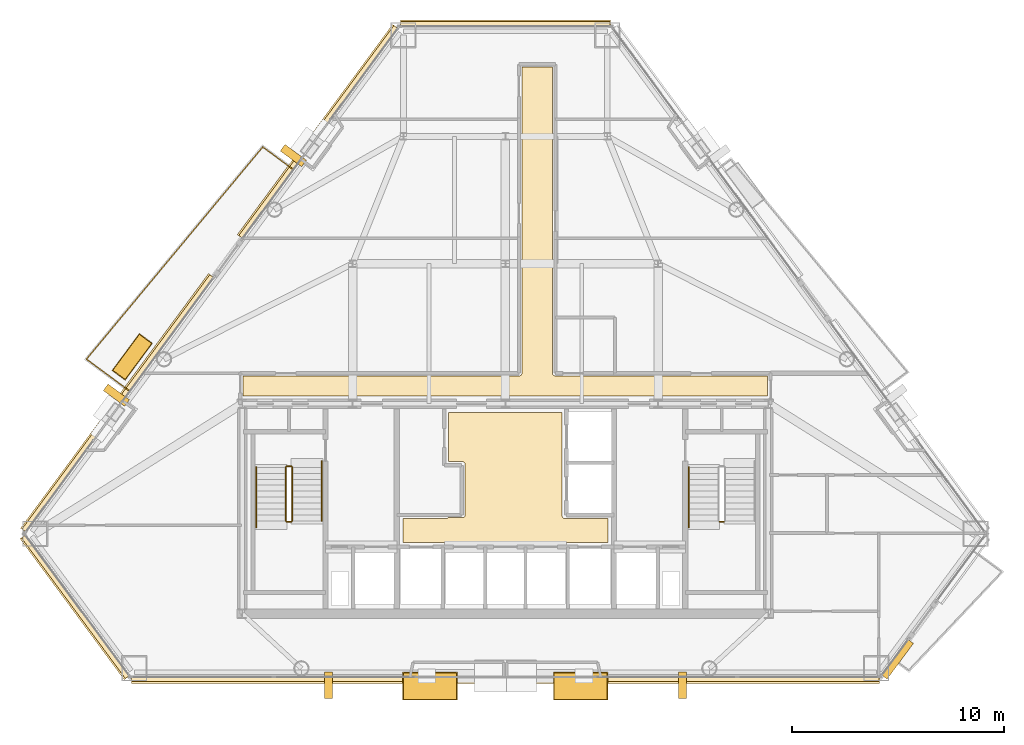
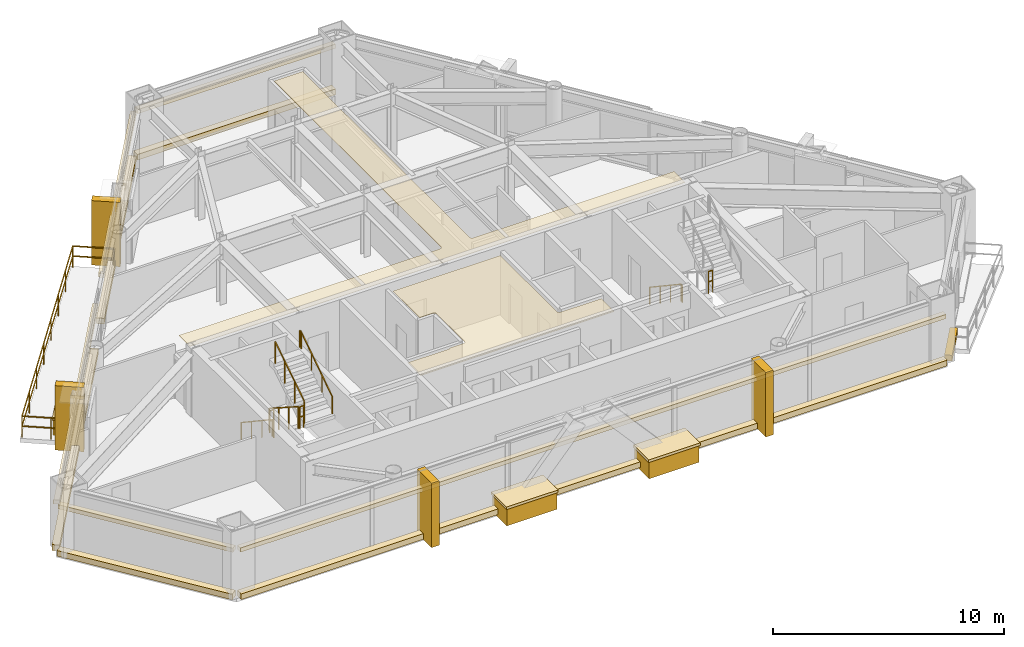
# One storey, part 10 of 11: 23 coverings, 9 railings.
"""IFC4 building model written with IfcOpenShell, lengths in metres."""

import ifcopenshell
import ifcopenshell.guid

model = None  # the IFC model being written
_history = None  # IfcOwnerHistory: only IFC2X3 demands one
_inside = {}  # id of a spatial element -> (the spatial element, [elements in it])
_under = {}  # id of a project, library or spatial element -> (it, [spatial elements below it])
_declared = {}  # id of a project -> (the project, [libraries it declares])
_typed = {}  # id of a type object -> (the type object, [elements of that type])
_made_of = {}  # id of a material, layer set ... -> (it, [elements and type objects made of it])


def new_model(schema):
    """Start an empty IFC model of exactly this schema.

    Asked for "IFC4X3", IfcOpenShell would pick the latest addendum, in which some entities
    have other attributes; the version numbers below select the first issue.
    IFC2X3 requires an IfcOwnerHistory on every rooted entity: one is made here for all.
    """
    global model, _history
    if schema == "IFC4X3":
        model = ifcopenshell.file(schema_version=(4, 3, 0, 0))
    else:
        model = ifcopenshell.file(schema=schema)
    _inside.clear()
    _under.clear()
    _declared.clear()
    _typed.clear()
    _made_of.clear()
    _history = None
    if model.schema == "IFC2X3":
        org = make("IfcOrganization", Name="unknown")
        user = make(
            "IfcPersonAndOrganization",
            ThePerson=make("IfcPerson", FamilyName="unknown"),
            TheOrganization=org,
        )
        app = make(
            "IfcApplication",
            ApplicationDeveloper=org,
            Version="unknown",
            ApplicationFullName="unknown",
            ApplicationIdentifier="unknown",
        )
        _history = make(
            "IfcOwnerHistory",
            OwningUser=user,
            OwningApplication=app,
            ChangeAction="ADDED",
            CreationDate=0,
        )
    return model


def make(cls, **values):
    """One entity of the class cls with the attributes given. An attribute that is None is left unset."""
    return model.create_entity(
        cls, **{name: value for name, value in values.items() if value is not None}
    )


def rooted(cls, **values):
    """An entity with a GlobalId (a new one), such as an element, a storey or a relation."""
    return make(cls, GlobalId=ifcopenshell.guid.new(), OwnerHistory=_history, **values)


def si_unit(unit_type, name, prefix=None):
    """IfcSIUnit, for example si_unit("LENGTHUNIT", "METRE", prefix="MILLI")."""
    return make("IfcSIUnit", UnitType=unit_type, Prefix=prefix, Name=name)


def assignment(units):
    """IfcUnitAssignment: the units of a project."""
    return None if units is None else make("IfcUnitAssignment", Units=units)


def point(xyz):
    """IfcCartesianPoint."""
    return None if xyz is None else make("IfcCartesianPoint", Coordinates=xyz)


def direction(xyz):
    """IfcDirection."""
    return None if xyz is None else make("IfcDirection", DirectionRatios=xyz)


def frame(location, z_axis=None, x_axis=None):
    """IfcAxis2Placement3D, a coordinate frame: its origin and axes. An axis left out is left unset."""
    return make(
        "IfcAxis2Placement3D",
        Location=point(location),
        Axis=direction(z_axis),
        RefDirection=direction(x_axis),
    )


def frame_2d(location, x_axis=None):
    """IfcAxis2Placement2D, a coordinate frame in the plane: its origin and x axis."""
    return make(
        "IfcAxis2Placement2D", Location=point(location), RefDirection=direction(x_axis)
    )


def origin():
    """The frame at (0, 0, 0) with its axes left unset."""
    return frame((0.0, 0.0, 0.0))


def origin_2d():
    """The frame at (0, 0) in the plane with its x axis left unset."""
    return frame_2d((0.0, 0.0))


def place(relative_to, where):
    """IfcLocalPlacement: puts the frame where relative to a parent placement (None: the world)."""
    return make(
        "IfcLocalPlacement", PlacementRelTo=relative_to, RelativePlacement=where
    )


def context(
    kind, dimensions, precision=None, world=None, true_north=None, identifier=None
):
    """IfcGeometricRepresentationContext, for example the 3D "Model" context."""
    return make(
        "IfcGeometricRepresentationContext",
        ContextIdentifier=identifier,
        ContextType=kind,
        CoordinateSpaceDimension=dimensions,
        Precision=precision,
        WorldCoordinateSystem=world,
        TrueNorth=true_north,
    )


def subcontext(parent, identifier, kind, view, scale=None):
    """IfcGeometricRepresentationSubContext, for example "Body" below "Model"."""
    return make(
        "IfcGeometricRepresentationSubContext",
        ContextIdentifier=identifier,
        ContextType=kind,
        ParentContext=parent,
        TargetScale=scale,
        TargetView=view,
    )


def project(units=None, contexts=None):
    """IfcProject with its units and contexts."""
    return rooted(
        "IfcProject",
        Name="project",
        RepresentationContexts=contexts,
        UnitsInContext=assignment(units),
    )


def spatial(cls, under=None, at=None, **own):
    """A site, building, storey or space (cls), placed at a placement, below another one or the project."""
    s = rooted(cls, ObjectPlacement=at, **own)
    if under is not None:
        _under.setdefault(under.id(), (under, []))[1].append(s)
    return s


def polyline(points):
    """IfcPolyline through the points."""
    return make("IfcPolyline", Points=[point(p) for p in points])


def profile(cls, at=None, kind="AREA", **sizes):
    """A parametric profile (cls). Its sizes go by their IFC names, for example OverallWidth=200.0."""
    return make(cls, ProfileType=kind, Position=at, **sizes)


def rectangle(**sizes):
    """IfcRectangleProfileDef."""
    return profile("IfcRectangleProfileDef", **sizes)


def outline(outer, holes=None, kind="AREA"):
    """IfcArbitraryClosedProfileDef: a profile drawn as a closed curve; with holes, ...WithVoids."""
    if holes is None:
        return make("IfcArbitraryClosedProfileDef", ProfileType=kind, OuterCurve=outer)
    return make(
        "IfcArbitraryProfileDefWithVoids",
        ProfileType=kind,
        OuterCurve=outer,
        InnerCurves=holes,
    )


def extrude(swept, where, along, depth):
    """IfcExtrudedAreaSolid: the profile swept, set in the frame where, extruded along a direction by depth."""
    return make(
        "IfcExtrudedAreaSolid",
        SweptArea=swept,
        Position=where,
        ExtrudedDirection=direction(along),
        Depth=depth,
    )


def shape(context_of_items, identifier, shape_type, items):
    """IfcShapeRepresentation: the items that make up one representation, for example the "Body"."""
    return make(
        "IfcShapeRepresentation",
        ContextOfItems=context_of_items,
        RepresentationIdentifier=identifier,
        RepresentationType=shape_type,
        Items=items,
    )


def material(Name=None, Category=None):
    """IfcMaterial."""
    return make("IfcMaterial", Name=Name, Category=Category)


def layer(
    of_material, thickness, ventilated=None, Name=None, Category=None, Priority=None
):
    """IfcMaterialLayer: one layer of a wall or slab, of a material (None: an air gap)."""
    return make(
        "IfcMaterialLayer",
        Material=of_material,
        LayerThickness=thickness,
        IsVentilated=ventilated,
        Name=Name,
        Category=Category,
        Priority=Priority,
    )


def layer_set(layers, Name=None):
    """IfcMaterialLayerSet."""
    return make("IfcMaterialLayerSet", MaterialLayers=layers, LayerSetName=Name)


def made_of(thing, what):
    """Note that an element or type object is made of a material, layer set ...; save() writes the relation."""
    if what is not None:
        _made_of.setdefault(what.id(), (what, []))[1].append(thing)
    return thing


def type_object(cls, material=None, **own):
    """A type object (cls), such as IfcWallType, which elements share."""
    return made_of(rooted(cls, **own), material)


def element(
    cls,
    number,
    at=None,
    inside=None,
    cuts=None,
    type_object=None,
    material=None,
    context=None,
    identifier="Body",
    shape_type=None,
    held_by="IfcProductDefinitionShape",
    body=None,
    shapes=None,
    **own,
):
    """One element of the class cls, such as IfcWall. Its Tag is "e" and its number.

    at: its placement. inside: the storey or other place that contains it. cuts: it is an
    opening in that element (IfcRelVoidsElement). A single representation is given by context,
    identifier, shape_type and body (its items); several are given by shapes. held_by: the class
    of the entity that holds the representations. save() writes the other relations.
    """
    e = rooted(cls, Tag="e%d" % number, ObjectPlacement=at, **own)
    if body is not None:
        shapes = [shape(context, identifier, shape_type, body)]
    if shapes is not None:
        e.Representation = make(held_by, Representations=shapes)
    if inside is not None:
        _inside.setdefault(inside.id(), (inside, []))[1].append(e)
    if cuts is not None:
        rooted(
            "IfcRelVoidsElement", RelatingBuildingElement=cuts, RelatedOpeningElement=e
        )
    if type_object is not None:
        _typed.setdefault(type_object.id(), (type_object, []))[1].append(e)
    return made_of(e, material)


def aggregate(whole, parts):
    """IfcRelAggregates: a whole, such as a stair, and the parts it consists of."""
    return rooted("IfcRelAggregates", RelatingObject=whole, RelatedObjects=parts)


def save(model, path):
    """Write the relations noted so far, then the file.

    IfcRelAggregates (storeys below a building ...), IfcRelContainedInSpatialStructure (elements
    in a storey), IfcRelDefinesByType, IfcRelAssociatesMaterial and IfcRelDeclares: one each for
    every whole, place, type object, material and project.
    """
    for whole, parts in _under.values():
        aggregate(whole, parts)
    for where, things in _inside.values():
        rooted(
            "IfcRelContainedInSpatialStructure",
            RelatedElements=things,
            RelatingStructure=where,
        )
    for kind, things in _typed.values():
        rooted("IfcRelDefinesByType", RelatedObjects=things, RelatingType=kind)
    for what, things in _made_of.values():
        rooted("IfcRelAssociatesMaterial", RelatedObjects=things, RelatingMaterial=what)
    for by, libraries in _declared.values():
        rooted("IfcRelDeclares", RelatingContext=by, RelatedDefinitions=libraries)
    model.write(path)


model = new_model("IFC4")

# Units and contexts
model_context = context("Model", 3, precision=1e-05, world=origin(), true_north=direction((0.0, 1.0)))
body_context = subcontext(model_context, "Body", "Model", "MODEL_VIEW")
ifc_project = project(units=[si_unit("LENGTHUNIT", "METRE"), si_unit("AREAUNIT", "SQUARE_METRE"), si_unit("VOLUMEUNIT", "CUBIC_METRE"), si_unit("PLANEANGLEUNIT", "RADIAN"), si_unit("MASSUNIT", "GRAM", prefix="KILO")], contexts=[model_context])

# Site, building, storey
site_placement = place(None, origin())
site = spatial("IfcSite", under=ifc_project, at=site_placement, CompositionType="ELEMENT")
building_placement = place(site_placement, origin())
building = spatial("IfcBuilding", under=site, at=building_placement, Name="Talgorran Terracotta Tower", CompositionType="ELEMENT")
storey_placement = place(building_placement, frame((0.0, 0.0, 147.300048828125)))
storey = spatial("IfcBuildingStorey", under=building, at=storey_placement, Name="L38", CompositionType="ELEMENT", Elevation=147.300048828125)

# Coverings
ifc_material_1 = material(Name="Kiln-Fired Terracotta Ochre Ceramic", Category="masonry")
ifc_layer_1 = layer(ifc_material_1, 0.179931640625, Name="COV_BAGUETTE_TERRACOTTA_SCREEN")
ifc_layer_set_1 = layer_set([ifc_layer_1], Name="Kiln-Fired Terracotta Ochre Ceramic")
covering_type_1 = type_object("IfcCoveringType", Name="COV_BAGUETTE_TERRACOTTA_SCREEN", PredefinedType="CLADDING", material=ifc_layer_set_1)
covering_1_placement = place(storey_placement, frame((-20.255859375, -13.76220703125, 2.41015625), z_axis=(0.0, 0.0, 1.0), x_axis=(0.594078945078, -0.804406742274, 0.0)))
element("IfcCovering", 1, at=covering_1_placement, inside=storey, type_object=covering_type_1, Name="L38 Terracotta Baguette Solar Screen Assembly F0", PredefinedType="CLADDING", context=body_context, shape_type="SweptSolid", body=[
    extrude(rectangle(XDim=8.242919921875, YDim=0.260009765625, at=origin_2d()), origin(), (0.0, 0.0, 1.0), 0.219970703125),
])
covering_2_placement = place(storey_placement, frame((0.0, -17.17431640625, 2.41015625), z_axis=(0.0, 0.0, 1.0), x_axis=(1.0, 0.0, 0.0)))
element("IfcCovering", 2, at=covering_2_placement, inside=storey, type_object=covering_type_1, Name="L38 Terracotta Baguette Solar Screen Assembly F1", PredefinedType="CLADDING", context=body_context, shape_type="SweptSolid", body=[
    extrude(rectangle(XDim=35.230712890625, YDim=0.260009765625, at=origin_2d()), origin(), (0.0, 0.0, 1.0), 0.219970703125),
])
covering_3_placement = place(storey_placement, frame((0.0, 13.677978515625, 2.41015625), z_axis=(0.0, 0.0, 1.0), x_axis=(-1.0, 0.0, 0.0)))
element("IfcCovering", 3, at=covering_3_placement, inside=storey, type_object=covering_type_1, Name="L38 Terracotta Baguette Solar Screen Assembly F4", PredefinedType="CLADDING", context=body_context, shape_type="SweptSolid", body=[
    extrude(rectangle(XDim=9.8759765625, YDim=0.260009765625, at=origin_2d()), origin(), (0.0, 0.0, 1.0), 0.219970703125),
])
covering_4_placement = place(storey_placement, frame((-8.80810546875, 8.600830078125, 2.41015625), z_axis=(0.0, 0.0, 1.0), x_axis=(-0.594078945078, -0.804406742274, 0.0)))
element("IfcCovering", 4, at=covering_4_placement, inside=storey, type_object=covering_type_1, Name="L38 Terracotta Baguette Solar Screen Assembly F60", PredefinedType="CLADDING", context=body_context, shape_type="SweptSolid", body=[
    extrude(rectangle(XDim=12.30224609375, YDim=0.260009765625, at=origin_2d()), origin(), (0.0, 0.0, 1.0), 0.219970703125),
])
covering_5_placement = place(storey_placement, frame((-18.254638671875, -4.190185546875, 2.41015625), z_axis=(0.0, 0.0, 1.0), x_axis=(-0.594078945078, -0.804406742274, 0.0)))
element("IfcCovering", 5, at=covering_5_placement, inside=storey, type_object=covering_type_1, Name="L38 Terracotta Baguette Solar Screen Assembly F61", PredefinedType="CLADDING", context=body_context, shape_type="SweptSolid", body=[
    extrude(rectangle(XDim=14.900146484375, YDim=0.260009765625, at=origin_2d()), origin(), (0.0, 0.0, 1.0), 0.219970703125),
])
ifc_material_2 = material(Name="Mineral Fibre Acoustic Tile")
ifc_layer_2 = layer(ifc_material_2, 0.02490234375, Name="COV_CEIL_ACOUSTIC")
ifc_layer_set_2 = layer_set([ifc_layer_2], Name="Mineral Fibre Acoustic Tile")
covering_type_2 = type_object("IfcCoveringType", Name="COV_CEIL_ACOUSTIC", PredefinedType="CEILING", material=ifc_layer_set_2)
covering_6_placement = place(storey_placement, frame((0.0, 0.0, 3.260009765625)))
element("IfcCovering", 6, at=covering_6_placement, inside=storey, type_object=covering_type_2, Name="CEIL-L38-2", PredefinedType="CEILING", context=body_context, shape_type="SweptSolid", body=[
    extrude(outline(polyline([(-12.364990234375, -2.885009765625), (0.64990234375, -2.885009765625), (0.66162109375, -2.884521484375), (0.67333984375, -2.8828125), (0.6845703125, -2.8798828125), (0.69287109375, -2.87744140625), (0.7041015625, -2.87353515625), (0.714599609375, -2.868408203125), (0.724853515625, -2.8623046875), (0.734375, -2.85546875), (0.742919921875, -2.847412109375), (0.7509765625, -2.8388671875), (0.756591796875, -2.83203125), (0.763671875, -2.822509765625), (0.769775390625, -2.8125), (0.774658203125, -2.8017578125), (0.77880859375, -2.79052734375), (0.781494140625, -2.779296875), (0.783203125, -2.767578125), (0.783935546875, -2.755615234375), (0.784912109375, 11.6650390625), (2.215087890625, 11.6650390625), (2.215087890625, -2.75), (2.215576171875, -2.76171875), (2.21728515625, -2.773193359375), (2.22021484375, -2.78466796875), (2.22265625, -2.79296875), (2.2265625, -2.803955078125), (2.231689453125, -2.814697265625), (2.237548828125, -2.82470703125), (2.24462890625, -2.834228515625), (2.25244140625, -2.843017578125), (2.26123046875, -2.850830078125), (2.26806640625, -2.8564453125), (2.277587890625, -2.863525390625), (2.28759765625, -2.86962890625), (2.29833984375, -2.874755859375), (2.309326171875, -2.878662109375), (2.32080078125, -2.881591796875), (2.33251953125, -2.88330078125), (2.34423828125, -2.8837890625), (12.364990234375, -2.885009765625), (12.364990234375, -3.830078125), (12.169921875, -3.830078125), (12.158203125, -3.83056640625), (12.146484375, -3.832275390625), (12.13525390625, -3.835205078125), (12.1240234375, -3.839111328125), (12.11328125, -3.84423828125), (12.112060546875, -3.844970703125), (7.432861328125, -3.844970703125), (6.968017578125, -3.843017578125), (6.967529296875, -3.843017578125), (0.232666015625, -3.844970703125), (-0.23193359375, -3.843017578125), (-0.232421875, -3.843017578125), (-6.96728515625, -3.844970703125), (-7.431884765625, -3.843017578125), (-7.4326171875, -3.843017578125), (-12.112060546875, -3.844970703125), (-12.11328125, -3.84423828125), (-12.1240234375, -3.839111328125), (-12.13525390625, -3.835205078125), (-12.146484375, -3.832275390625), (-12.158203125, -3.83056640625), (-12.169921875, -3.830078125), (-12.364990234375, -3.830078125), (-12.364990234375, -2.885009765625)])), origin(), (0.0, 0.0, 1.0), 0.02001953125),
])
ifc_material_3 = material(Name="Flush Moisture-Resistant Plaster")
ifc_layer_3 = layer(ifc_material_3, 0.01806640625, Name="COV_CEIL_PLASTER")
ifc_layer_set_3 = layer_set([ifc_layer_3], Name="Flush Moisture-Resistant Plaster")
covering_type_3 = type_object("IfcCoveringType", Name="COV_CEIL_PLASTER", PredefinedType="CEILING", material=ifc_layer_set_3)
covering_7_placement = place(storey_placement, frame((0.0, 0.0, 3.260009765625)))
element("IfcCovering", 7, at=covering_7_placement, inside=storey, type_object=covering_type_3, Name="CEIL-L38-1", PredefinedType="CEILING", context=body_context, shape_type="SweptSolid", body=[
    extrude(outline(polyline([(-2.70263671875, -9.570068359375), (-2.02001953125, -9.570068359375), (-2.00830078125, -9.5693359375), (-1.99658203125, -9.567626953125), (-1.985107421875, -9.564697265625), (-1.97412109375, -9.560791015625), (-1.96337890625, -9.555908203125), (-1.953369140625, -9.5498046875), (-1.94384765625, -9.542724609375), (-1.93505859375, -9.534912109375), (-1.92724609375, -9.526123046875), (-1.920166015625, -9.5166015625), (-1.914306640625, -9.506591796875), (-1.9091796875, -9.495849609375), (-1.9052734375, -9.48486328125), (-1.90234375, -9.473388671875), (-1.900634765625, -9.4619140625), (-1.89990234375, -9.449951171875), (-1.89990234375, -7.050048828125), (-1.900634765625, -7.0380859375), (-1.90234375, -7.026611328125), (-1.9052734375, -7.01513671875), (-1.9091796875, -7.004150390625), (-1.914306640625, -6.993408203125), (-1.920166015625, -6.9833984375), (-1.92724609375, -6.973876953125), (-1.93505859375, -6.965087890625), (-1.94384765625, -6.957275390625), (-1.953369140625, -6.9501953125), (-1.96337890625, -6.944091796875), (-1.97412109375, -6.939208984375), (-1.985107421875, -6.935302734375), (-1.99658203125, -6.932373046875), (-2.00830078125, -6.9306640625), (-2.02001953125, -6.929931640625), (-2.679931640625, -6.929931640625), (-2.679931640625, -4.6201171875), (2.679931640625, -4.6201171875), (2.679931640625, -9.5), (2.6806640625, -9.51171875), (2.682373046875, -9.5234375), (2.685302734375, -9.534912109375), (2.689208984375, -9.5458984375), (2.694091796875, -9.556640625), (2.7001953125, -9.566650390625), (2.707275390625, -9.576171875), (2.715087890625, -9.5849609375), (2.723876953125, -9.5927734375), (2.7333984375, -9.599853515625), (2.743408203125, -9.605712890625), (2.754150390625, -9.61083984375), (2.76513671875, -9.61474609375), (2.776611328125, -9.61767578125), (2.7880859375, -9.619384765625), (2.800048828125, -9.6201171875), (4.830078125, -9.6201171875), (4.830078125, -10.72998046875), (-4.830078125, -10.72998046875), (-4.830078125, -9.6201171875), (-2.800048828125, -9.6201171875), (-2.7880859375, -9.619384765625), (-2.776611328125, -9.61767578125), (-2.76513671875, -9.61474609375), (-2.754150390625, -9.61083984375), (-2.743408203125, -9.605712890625), (-2.7333984375, -9.599853515625), (-2.723876953125, -9.5927734375), (-2.715087890625, -9.5849609375), (-2.707275390625, -9.576171875), (-2.70263671875, -9.570068359375)])), origin(), (0.0, 0.0, 1.0), 0.02001953125),
])
ifc_material_4 = material(Name="Honed Limestone and Terracotta Planter", Category="masonry")
ifc_layer_4 = layer(ifc_material_4, 0.1201171875, Name="COV_PLANTER_BOX")
ifc_layer_set_4 = layer_set([ifc_layer_4], Name="Honed Limestone and Terracotta Planter")
covering_type_4 = type_object("IfcCoveringType", Name="COV_PLANTER_BOX", PredefinedType="CLADDING", material=ifc_layer_set_4)
for number, where, z_axis, x_axis, name in (
    (8, (-3.54931640625, -17.514404296875, -0.179931640625), (0.0, 0.0, 1.0), (1.0, 0.0, 0.0), "L38 Staggered South Facade Planter Box 1"),
    (9, (3.54931640625, -17.514404296875, -0.179931640625), (0.0, 0.0, 1.0), (1.0, 0.0, 0.0), "L38 Staggered South Facade Planter Box 2"),
):
    element("IfcCovering", number, at=place(storey_placement, frame(where, z_axis=z_axis, x_axis=x_axis)), inside=storey, type_object=covering_type_4, Name=name, PredefinedType="CLADDING", context=body_context, shape_type="SweptSolid", body=[
        extrude(rectangle(XDim=2.5, YDim=1.25, at=origin_2d()), origin(), (0.0, 0.0, 1.0), 0.919921875),
    ])
covering_8_placement = place(storey_placement, frame((-17.587646484375, -1.9912109375, -0.02001953125), z_axis=(0.0, 0.0, 1.0), x_axis=(-0.594078945078, -0.804406742274, 0.0)))
element("IfcCovering", 10, at=covering_8_placement, inside=storey, type_object=covering_type_4, Name="L38 Staggered Balcony Planter Box BAL-NW", PredefinedType="CLADDING", context=body_context, shape_type="SweptSolid", body=[
    extrude(rectangle(XDim=2.10009765625, YDim=0.719970703125, at=origin_2d()), origin(), (0.0, 0.0, 1.0), 0.860107421875),
])
ifc_material_5 = material(Name="Kiln-Fired Terracotta Planter Rim", Category="masonry")
ifc_layer_5 = layer(ifc_material_5, 0.10009765625, Name="COV_PLANTER_RIM")
ifc_layer_set_5 = layer_set([ifc_layer_5], Name="Kiln-Fired Terracotta Planter Rim")
covering_type_5 = type_object("IfcCoveringType", Name="COV_PLANTER_RIM", PredefinedType="CLADDING", material=ifc_layer_set_5)
for number, where, z_axis, x_axis, name in (
    (11, (-3.54931640625, -17.514404296875, 0.7099609375), (0.0, 0.0, 1.0), (1.0, 0.0, 0.0), "L38 South Planter Terracotta Rim 1"),
    (12, (3.54931640625, -17.514404296875, 0.7099609375), (0.0, 0.0, 1.0), (1.0, 0.0, 0.0), "L38 South Planter Terracotta Rim 2"),
):
    element("IfcCovering", number, at=place(storey_placement, frame(where, z_axis=z_axis, x_axis=x_axis)), inside=storey, type_object=covering_type_5, Name=name, PredefinedType="CLADDING", context=body_context, shape_type="SweptSolid", body=[
        extrude(rectangle(XDim=2.580078125, YDim=1.320068359375, at=origin_2d()), origin(), (0.0, 0.0, 1.0), 0.139892578125),
    ])
covering_9_placement = place(storey_placement, frame((-17.587646484375, -1.9912109375, 0.7998046875), z_axis=(0.0, 0.0, 1.0), x_axis=(-0.594078945078, -0.804406742274, 0.0)))
element("IfcCovering", 13, at=covering_9_placement, inside=storey, type_object=covering_type_5, Name="L38 Balcony Planter Terracotta Rim BAL-NW", PredefinedType="CLADDING", context=body_context, shape_type="SweptSolid", body=[
    extrude(rectangle(XDim=2.179931640625, YDim=0.780029296875, at=origin_2d()), origin(), (0.0, 0.0, 1.0), 0.1201171875),
])
ifc_material_6 = material(Name="Honed Limestone Cladding", Category="masonry")
ifc_layer_6 = layer(ifc_material_6, 0.094970703125, Name="COV_PORTAL_LIME")
ifc_layer_set_6 = layer_set([ifc_layer_6], Name="Honed Limestone Cladding")
covering_type_6 = type_object("IfcCoveringType", Name="COV_PORTAL_LIME", PredefinedType="CLADDING", material=ifc_layer_set_6)
covering_10_placement = place(storey_placement, frame((-20.2880859375, -13.785888671875, -0.0400390625), z_axis=(0.0, 0.0, 1.0), x_axis=(0.594078945078, -0.804406742274, 0.0)))
element("IfcCovering", 14, at=covering_10_placement, inside=storey, type_object=covering_type_6, Name="L38 Striped Postmodern Portal Cladding Band F0", PredefinedType="CLADDING", context=body_context, shape_type="SweptSolid", body=[
    extrude(rectangle(XDim=8.2626953125, YDim=0.340087890625, at=origin_2d()), origin(), (0.0, 0.0, 1.0), 0.300048828125),
])
covering_11_placement = place(storey_placement, frame((0.0, -17.21435546875, -0.0400390625), z_axis=(0.0, 0.0, 1.0), x_axis=(1.0, 0.0, 0.0)))
element("IfcCovering", 15, at=covering_11_placement, inside=storey, type_object=covering_type_6, Name="L38 Striped Postmodern Portal Cladding Band F1", PredefinedType="CLADDING", context=body_context, shape_type="SweptSolid", body=[
    extrude(rectangle(XDim=35.250732421875, YDim=0.340087890625, at=origin_2d()), origin(), (0.0, 0.0, 1.0), 0.300048828125),
])
covering_12_placement = place(storey_placement, frame((18.478271484375, -16.236328125, -0.0400390625), z_axis=(0.0, 0.0, 1.0), x_axis=(0.594064905441, 0.804417110785, 0.0)))
element("IfcCovering", 16, at=covering_12_placement, inside=storey, type_object=covering_type_6, Name="L38 Striped Postmodern Portal Cladding Band F30", PredefinedType="CLADDING", context=body_context, shape_type="SweptSolid", body=[
    extrude(rectangle(XDim=2.090087890625, YDim=0.340087890625, at=origin_2d()), origin(), (0.0, 0.0, 1.0), 0.300048828125),
])
covering_13_placement = place(storey_placement, frame((0.0, 13.718017578125, -0.0400390625), z_axis=(0.0, 0.0, 1.0), x_axis=(-1.0, 0.0, 0.0)))
element("IfcCovering", 17, at=covering_13_placement, inside=storey, type_object=covering_type_6, Name="L38 Striped Postmodern Portal Cladding Band F4", PredefinedType="CLADDING", context=body_context, shape_type="SweptSolid", body=[
    extrude(rectangle(XDim=9.89599609375, YDim=0.340087890625, at=origin_2d()), origin(), (0.0, 0.0, 1.0), 0.300048828125),
])
covering_14_placement = place(storey_placement, frame((-8.840087890625, 8.62451171875, -0.0400390625), z_axis=(0.0, 0.0, 1.0), x_axis=(-0.594078945078, -0.804406742274, 0.0)))
element("IfcCovering", 18, at=covering_14_placement, inside=storey, type_object=covering_type_6, Name="L38 Striped Postmodern Portal Cladding Band F60", PredefinedType="CLADDING", context=body_context, shape_type="SweptSolid", body=[
    extrude(rectangle(XDim=12.322265625, YDim=0.340087890625, at=origin_2d()), origin(), (0.0, 0.0, 1.0), 0.300048828125),
])
covering_15_placement = place(storey_placement, frame((-18.286865234375, -4.16650390625, -0.0400390625), z_axis=(0.0, 0.0, 1.0), x_axis=(-0.594078945078, -0.804406742274, 0.0)))
element("IfcCovering", 19, at=covering_15_placement, inside=storey, type_object=covering_type_6, Name="L38 Striped Postmodern Portal Cladding Band F61", PredefinedType="CLADDING", context=body_context, shape_type="SweptSolid", body=[
    extrude(rectangle(XDim=14.920166015625, YDim=0.340087890625, at=origin_2d()), origin(), (0.0, 0.0, 1.0), 0.300048828125),
])
for number, where, z_axis, x_axis, name in (
    (20, (8.340576171875, -17.474365234375, -0.050048828125), (0.0, 0.0, 1.0), (1.0, 0.0, 0.0), "L38 White Striped Portal Fin F1-2"),
    (21, (-18.337158203125, -3.797119140625, -0.050048828125), (0.0, 0.0, 1.0), (-0.594078945078, -0.804406742274, 0.0), "L38 White Striped Portal Fin F5-2"),
):
    element("IfcCovering", number, at=place(storey_placement, frame(where, z_axis=z_axis, x_axis=x_axis)), inside=storey, type_object=covering_type_6, Name=name, PredefinedType="CLADDING", context=body_context, shape_type="SweptSolid", body=[
        extrude(rectangle(XDim=0.3798828125, YDim=1.25, at=origin_2d()), origin(), (0.0, 0.0, 1.0), 3.39990234375),
    ])
ifc_material_7 = material(Name="Kiln-Fired Terracotta Cladding", Category="masonry")
ifc_layer_7 = layer(ifc_material_7, 0.090087890625, Name="COV_PORTAL_TERRA")
ifc_layer_set_7 = layer_set([ifc_layer_7], Name="Kiln-Fired Terracotta Cladding")
covering_type_7 = type_object("IfcCoveringType", Name="COV_PORTAL_TERRA", PredefinedType="CLADDING", material=ifc_layer_set_7)
for number, where, z_axis, x_axis, name in (
    (22, (-8.340576171875, -17.474365234375, -0.050048828125), (0.0, 0.0, 1.0), (1.0, 0.0, 0.0), "L38 Terracotta Striped Portal Fin F1-1"),
    (23, (-9.99658203125, 7.49658203125, -0.050048828125), (0.0, 0.0, 1.0), (-0.594078945078, -0.804406742274, 0.0), "L38 Terracotta Striped Portal Fin F5-1"),
):
    element("IfcCovering", number, at=place(storey_placement, frame(where, z_axis=z_axis, x_axis=x_axis)), inside=storey, type_object=covering_type_7, Name=name, PredefinedType="CLADDING", context=body_context, shape_type="SweptSolid", body=[
        extrude(rectangle(XDim=0.3798828125, YDim=1.25, at=origin_2d()), origin(), (0.0, 0.0, 1.0), 3.39990234375),
    ])

# Railings
ifc_material_8 = material(Name="Laminated Glass and Stainless Steel 316", Category="steel")
railing_type_1 = type_object("IfcRailingType", Name="RL_BALCONY_1150", PredefinedType="BALUSTRADE", material=ifc_material_8)
railing_1_placement = place(storey_placement, frame((-10.004638671875, 6.845947265625, 0.0)))
element("IfcRailing", 24, at=railing_1_placement, inside=storey, type_object=railing_type_1, Name="RL-L38-BAL-BAL-NW", PredefinedType="BALUSTRADE", context=body_context, shape_type="SweptSolid", body=[
    extrude(rectangle(XDim=0.048095703125, YDim=0.048095703125, at=origin_2d()), frame((0.0, 0.0, 1.1259765625), z_axis=(-0.804404034512, 0.594082611478, 0.0), x_axis=(-0.594082611478, -0.804404034512, 0.0)), (0.0, 0.0, 1.0), 1.78076171875),
    extrude(rectangle(XDim=0.048095703125, YDim=0.048095703125, at=origin_2d()), frame((0.0, 0.0, 0.597900390625), z_axis=(-0.804404034512, 0.594082611478, 0.0), x_axis=(-0.594082611478, -0.804404034512, 0.0)), (0.0, 0.0, 1.0), 1.78076171875),
    extrude(rectangle(XDim=0.048095703125, YDim=0.048095703125, at=origin_2d()), frame((-1.432373046875, 1.057861328125, 1.1259765625), z_axis=(-0.638926047412, -0.769268162567, 0.0), x_axis=(0.769268162567, -0.638926047412, 0.0)), (0.0, 0.0, 1.0), 13.0048828125),
    extrude(rectangle(XDim=0.048095703125, YDim=0.048095703125, at=origin_2d()), frame((-1.432373046875, 1.057861328125, 0.597900390625), z_axis=(-0.638926047412, -0.769268162567, 0.0), x_axis=(0.769268162567, -0.638926047412, 0.0)), (0.0, 0.0, 1.0), 13.0048828125),
    extrude(rectangle(XDim=0.048095703125, YDim=0.048095703125, at=origin_2d()), frame((-9.741455078125, -8.9462890625, 1.1259765625), z_axis=(0.804439673609, -0.594034352141, 0.0), x_axis=(0.594034352141, 0.804439673609, 0.0)), (0.0, 0.0, 1.0), 2.521484375),
    extrude(rectangle(XDim=0.048095703125, YDim=0.048095703125, at=origin_2d()), frame((-9.741455078125, -8.9462890625, 0.597900390625), z_axis=(0.804439673609, -0.594034352141, 0.0), x_axis=(0.594034352141, 0.804439673609, 0.0)), (0.0, 0.0, 1.0), 2.521484375),
    extrude(rectangle(XDim=0.0419921875, YDim=0.0419921875, at=origin_2d()), origin(), (0.0, 0.0, 1.0), 1.101806640625),
    extrude(rectangle(XDim=0.0419921875, YDim=0.0419921875, at=origin_2d()), frame((-1.432373046875, 1.057861328125, 0.0)), (0.0, 0.0, 1.0), 1.101806640625),
    extrude(rectangle(XDim=0.0419921875, YDim=0.0419921875, at=origin_2d()), frame((-2.619384765625, -0.371337890625, 0.0)), (0.0, 0.0, 1.0), 1.101806640625),
    extrude(rectangle(XDim=0.0419921875, YDim=0.0419921875, at=origin_2d()), frame((-3.806396484375, -1.800537109375, 0.0)), (0.0, 0.0, 1.0), 1.101806640625),
    extrude(rectangle(XDim=0.0419921875, YDim=0.0419921875, at=origin_2d()), frame((-4.993408203125, -3.229736328125, 0.0)), (0.0, 0.0, 1.0), 1.101806640625),
    extrude(rectangle(XDim=0.0419921875, YDim=0.0419921875, at=origin_2d()), frame((-6.180419921875, -4.65869140625, 0.0)), (0.0, 0.0, 1.0), 1.101806640625),
    extrude(rectangle(XDim=0.0419921875, YDim=0.0419921875, at=origin_2d()), frame((-7.367431640625, -6.087890625, 0.0)), (0.0, 0.0, 1.0), 1.101806640625),
    extrude(rectangle(XDim=0.0419921875, YDim=0.0419921875, at=origin_2d()), frame((-8.554443359375, -7.51708984375, 0.0)), (0.0, 0.0, 1.0), 1.101806640625),
    extrude(rectangle(XDim=0.0419921875, YDim=0.0419921875, at=origin_2d()), frame((-9.741455078125, -8.9462890625, 0.0)), (0.0, 0.0, 1.0), 1.101806640625),
    extrude(rectangle(XDim=0.0419921875, YDim=0.0419921875, at=origin_2d()), frame((-8.727294921875, -9.6953125, 0.0)), (0.0, 0.0, 1.0), 1.101806640625),
    extrude(rectangle(XDim=0.0419921875, YDim=0.0419921875, at=origin_2d()), frame((-7.713134765625, -10.444091796875, 0.0)), (0.0, 0.0, 1.0), 1.101806640625),
])
ifc_material_9 = material(Name="Steel S355 (300PLUS)", Category="steel")
railing_type_2 = type_object("IfcRailingType", Name="RL_HANDRAIL_920", PredefinedType="HANDRAIL", material=ifc_material_9)
railing_2_placement = place(storey_placement, frame((-11.75, -7.199951171875, 0.179931640625)))
element("IfcRailing", 25, at=railing_2_placement, inside=storey, type_object=railing_type_2, Name="L38 ST-01 stair handrail 1", PredefinedType="HANDRAIL", context=body_context, shape_type="SweptSolid", body=[
    extrude(rectangle(XDim=0.048095703125, YDim=0.048095703125, at=origin_2d()), frame((0.0, 0.0, 0.89599609375), z_axis=(0.0, -0.832038719335, 0.554717558338), x_axis=(1.0, 0.0, 0.0)), (0.0, 0.0, 1.0), 3.244873046875),
    extrude(rectangle(XDim=0.048095703125, YDim=0.048095703125, at=origin_2d()), frame((0.0, -2.699951171875, 2.69580078125), z_axis=(0.0, -1.0, 0.0), x_axis=(1.0, 0.0, 0.0)), (0.0, 0.0, 1.0), 0.1201171875),
    extrude(rectangle(XDim=0.0419921875, YDim=0.0419921875, at=origin_2d()), origin(), (0.0, 0.0, 1.0), 0.871826171875),
    extrude(rectangle(XDim=0.0419921875, YDim=0.0419921875, at=origin_2d()), frame((0.0, -0.89990234375, 0.60009765625)), (0.0, 0.0, 1.0), 0.871826171875),
    extrude(rectangle(XDim=0.0419921875, YDim=0.0419921875, at=origin_2d()), frame((0.0, -1.800048828125, 1.199951171875)), (0.0, 0.0, 1.0), 0.871826171875),
    extrude(rectangle(XDim=0.0419921875, YDim=0.0419921875, at=origin_2d()), frame((0.0, -2.699951171875, 1.800048828125)), (0.0, 0.0, 1.0), 0.871826171875),
    extrude(rectangle(XDim=0.0419921875, YDim=0.0419921875, at=origin_2d()), frame((0.0, -2.820068359375, 1.800048828125)), (0.0, 0.0, 1.0), 0.871826171875),
])
railing_3_placement = place(storey_placement, frame((-8.64990234375, -9.719970703125, 1.97998046875)))
element("IfcRailing", 26, at=railing_3_placement, inside=storey, type_object=railing_type_2, Name="L38 ST-01 stair handrail 2", PredefinedType="HANDRAIL", context=body_context, shape_type="SweptSolid", body=[
    extrude(rectangle(XDim=0.048095703125, YDim=0.048095703125, at=origin_2d()), frame((0.0, 0.0, 0.89599609375), z_axis=(0.0, 0.832038719335, 0.554717558338), x_axis=(-1.0, 0.0, 0.0)), (0.0, 0.0, 1.0), 3.244873046875),
    extrude(rectangle(XDim=0.048095703125, YDim=0.048095703125, at=origin_2d()), frame((0.0, 2.699951171875, 2.69580078125), z_axis=(0.0, 1.0, 0.0), x_axis=(-1.0, 0.0, 0.0)), (0.0, 0.0, 1.0), 0.1201171875),
    extrude(rectangle(XDim=0.0419921875, YDim=0.0419921875, at=origin_2d()), origin(), (0.0, 0.0, 1.0), 0.871826171875),
    extrude(rectangle(XDim=0.0419921875, YDim=0.0419921875, at=origin_2d()), frame((0.0, 0.89990234375, 0.60009765625)), (0.0, 0.0, 1.0), 0.871826171875),
    extrude(rectangle(XDim=0.0419921875, YDim=0.0419921875, at=origin_2d()), frame((0.0, 1.800048828125, 1.199951171875)), (0.0, 0.0, 1.0), 0.871826171875),
    extrude(rectangle(XDim=0.0419921875, YDim=0.0419921875, at=origin_2d()), frame((0.0, 2.699951171875, 1.800048828125)), (0.0, 0.0, 1.0), 0.871826171875),
    extrude(rectangle(XDim=0.0419921875, YDim=0.0419921875, at=origin_2d()), frame((0.0, 2.820068359375, 1.800048828125)), (0.0, 0.0, 1.0), 0.871826171875),
])
railing_4_placement = place(storey_placement, frame((8.64990234375, -7.199951171875, 0.179931640625)))
element("IfcRailing", 27, at=railing_4_placement, inside=storey, type_object=railing_type_2, Name="L38 ST-02 stair handrail 1", PredefinedType="HANDRAIL", context=body_context, shape_type="SweptSolid", body=[
    extrude(rectangle(XDim=0.048095703125, YDim=0.048095703125, at=origin_2d()), frame((0.0, 0.0, 0.89599609375), z_axis=(0.0, -0.832038719335, 0.554717558338), x_axis=(1.0, 0.0, 0.0)), (0.0, 0.0, 1.0), 3.244873046875),
    extrude(rectangle(XDim=0.048095703125, YDim=0.048095703125, at=origin_2d()), frame((0.0, -2.699951171875, 2.69580078125), z_axis=(0.0, -1.0, 0.0), x_axis=(1.0, 0.0, 0.0)), (0.0, 0.0, 1.0), 0.1201171875),
    extrude(rectangle(XDim=0.0419921875, YDim=0.0419921875, at=origin_2d()), origin(), (0.0, 0.0, 1.0), 0.871826171875),
    extrude(rectangle(XDim=0.0419921875, YDim=0.0419921875, at=origin_2d()), frame((0.0, -0.89990234375, 0.60009765625)), (0.0, 0.0, 1.0), 0.871826171875),
    extrude(rectangle(XDim=0.0419921875, YDim=0.0419921875, at=origin_2d()), frame((0.0, -1.800048828125, 1.199951171875)), (0.0, 0.0, 1.0), 0.871826171875),
    extrude(rectangle(XDim=0.0419921875, YDim=0.0419921875, at=origin_2d()), frame((0.0, -2.699951171875, 1.800048828125)), (0.0, 0.0, 1.0), 0.871826171875),
    extrude(rectangle(XDim=0.0419921875, YDim=0.0419921875, at=origin_2d()), frame((0.0, -2.820068359375, 1.800048828125)), (0.0, 0.0, 1.0), 0.871826171875),
])
railing_type_3 = type_object("IfcRailingType", Name="RL_STAIR_GUARD", PredefinedType="GUARDRAIL", material=ifc_material_9)
railing_5_placement = place(storey_placement, frame((-10.35009765625, -7.199951171875, 0.179931640625)))
element("IfcRailing", 28, at=railing_5_placement, inside=storey, type_object=railing_type_3, Name="L38 ST-01 stair guard 1", PredefinedType="GUARDRAIL", context=body_context, shape_type="SweptSolid", body=[
    extrude(rectangle(XDim=0.048095703125, YDim=0.048095703125, at=origin_2d()), frame((0.0, 0.0, 1.15576171875), z_axis=(0.0, -0.841162588446, 0.540782303519), x_axis=(1.0, 0.0, 0.0)), (0.0, 0.0, 1.0), 2.995849609375),
    extrude(rectangle(XDim=0.0419921875, YDim=0.0419921875, at=origin_2d()), origin(), (0.0, 0.0, 1.0), 1.1318359375),
    extrude(rectangle(XDim=0.0419921875, YDim=0.0419921875, at=origin_2d()), frame((0.0, -0.840087890625, 0.5400390625)), (0.0, 0.0, 1.0), 1.1318359375),
    extrude(rectangle(XDim=0.0419921875, YDim=0.0419921875, at=origin_2d()), frame((0.0, -1.679931640625, 1.080078125)), (0.0, 0.0, 1.0), 1.1318359375),
    extrude(rectangle(XDim=0.0419921875, YDim=0.0419921875, at=origin_2d()), frame((0.0, -2.52001953125, 1.6201171875)), (0.0, 0.0, 1.0), 1.1318359375),
])
railing_6_placement = place(storey_placement, frame((-10.300048828125, -9.77001953125, 1.800048828125)))
element("IfcRailing", 29, at=railing_6_placement, inside=storey, type_object=railing_type_3, Name="L38 ST-01 stair guard 2", PredefinedType="GUARDRAIL", context=body_context, shape_type="SweptSolid", body=[
    extrude(rectangle(XDim=0.048095703125, YDim=0.048095703125, at=origin_2d()), frame((0.0, 0.0, 1.15576171875), z_axis=(1.0, 0.0, 0.0), x_axis=(0.0, 1.0, 0.0)), (0.0, 0.0, 1.0), 0.199951171875),
    extrude(rectangle(XDim=0.048095703125, YDim=0.048095703125, at=origin_2d()), frame((0.0, 0.0, 0.613525390625), z_axis=(1.0, 0.0, 0.0), x_axis=(0.0, 1.0, 0.0)), (0.0, 0.0, 1.0), 0.199951171875),
    extrude(rectangle(XDim=0.0419921875, YDim=0.0419921875, at=origin_2d()), origin(), (0.0, 0.0, 1.0), 1.1318359375),
    extrude(rectangle(XDim=0.0419921875, YDim=0.0419921875, at=origin_2d()), frame((0.199951171875, 0.0, 0.0)), (0.0, 0.0, 1.0), 1.1318359375),
])
railing_7_placement = place(storey_placement, frame((-10.050048828125, -9.719970703125, 1.97998046875)))
element("IfcRailing", 30, at=railing_7_placement, inside=storey, type_object=railing_type_3, Name="L38 ST-01 stair guard 3", PredefinedType="GUARDRAIL", context=body_context, shape_type="SweptSolid", body=[
    extrude(rectangle(XDim=0.048095703125, YDim=0.048095703125, at=origin_2d()), frame((0.0, 0.0, 1.15576171875), z_axis=(0.0, 0.841199657755, 0.540724639528), x_axis=(-1.0, 0.0, 0.0)), (0.0, 0.0, 1.0), 2.995849609375),
    extrude(rectangle(XDim=0.0419921875, YDim=0.0419921875, at=origin_2d()), origin(), (0.0, 0.0, 1.0), 1.1318359375),
    extrude(rectangle(XDim=0.0419921875, YDim=0.0419921875, at=origin_2d()), frame((0.0, 0.840087890625, 0.5400390625)), (0.0, 0.0, 1.0), 1.1318359375),
    extrude(rectangle(XDim=0.0419921875, YDim=0.0419921875, at=origin_2d()), frame((0.0, 1.679931640625, 1.079833984375)), (0.0, 0.0, 1.0), 1.1318359375),
    extrude(rectangle(XDim=0.0419921875, YDim=0.0419921875, at=origin_2d()), frame((0.0, 2.52001953125, 1.619873046875)), (0.0, 0.0, 1.0), 1.1318359375),
])
for number, where, name in (
    (31, (-10.300048828125, -7.14990234375, 0.0), "L38 ST-01 stair guard 4"),
    (32, (10.10009765625, -9.77001953125, 1.800048828125), "L38 ST-02 stair guard 2"),
):
    element("IfcRailing", number, at=place(storey_placement, frame(where)), inside=storey, type_object=railing_type_3, Name=name, PredefinedType="GUARDRAIL", context=body_context, shape_type="SweptSolid", body=[
        extrude(rectangle(XDim=0.048095703125, YDim=0.048095703125, at=origin_2d()), frame((0.0, 0.0, 1.15576171875), z_axis=(1.0, 0.0, 0.0), x_axis=(0.0, 1.0, 0.0)), (0.0, 0.0, 1.0), 0.199951171875),
        extrude(rectangle(XDim=0.048095703125, YDim=0.048095703125, at=origin_2d()), frame((0.0, 0.0, 0.613525390625), z_axis=(1.0, 0.0, 0.0), x_axis=(0.0, 1.0, 0.0)), (0.0, 0.0, 1.0), 0.199951171875),
        extrude(rectangle(XDim=0.0419921875, YDim=0.0419921875, at=origin_2d()), origin(), (0.0, 0.0, 1.0), 1.1318359375),
        extrude(rectangle(XDim=0.0419921875, YDim=0.0419921875, at=origin_2d()), frame((0.199951171875, 0.0, 0.0)), (0.0, 0.0, 1.0), 1.1318359375),
    ])

save(model, "model.ifc")
